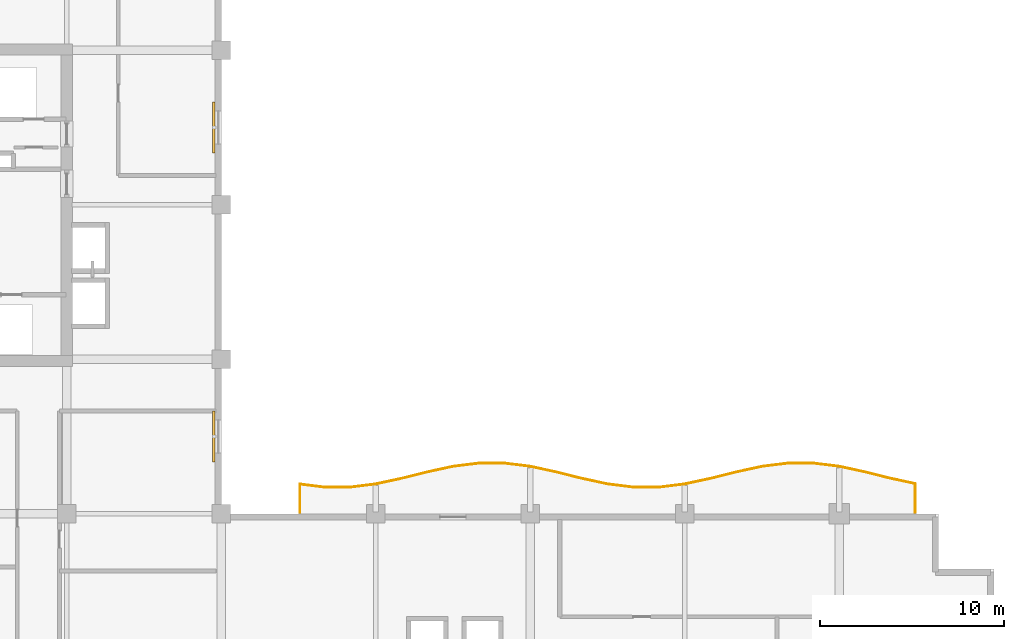
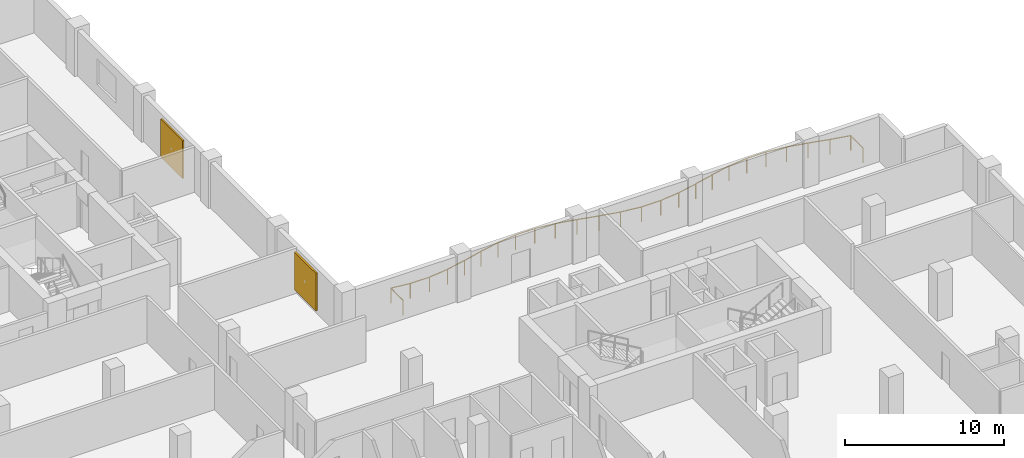
# One storey, part 14 of 14: 2 shading devices, 1 railing.
"""IFC4 building model written with IfcOpenShell, lengths in metres."""

from ifc_helpers import new_model, si_unit, direction, frame, origin, origin_2d, place, context, subcontext, project, spatial, rectangle, circle, extrude, material, layer, layer_set, type_object, element, save


model = new_model("IFC4")

# Units and contexts
model_context = context("Model", 3, precision=1e-05, world=origin(), true_north=direction((0.0, 1.0)))
body_context = subcontext(model_context, "Body", "Model", "MODEL_VIEW")
ifc_project = project(units=[si_unit("LENGTHUNIT", "METRE"), si_unit("AREAUNIT", "SQUARE_METRE"), si_unit("VOLUMEUNIT", "CUBIC_METRE"), si_unit("PLANEANGLEUNIT", "RADIAN"), si_unit("MASSUNIT", "GRAM", prefix="KILO")], contexts=[model_context])

# Site, building, storey
site_placement = place(None, origin())
site = spatial("IfcSite", under=ifc_project, at=site_placement, CompositionType="ELEMENT")
building_placement = place(site_placement, origin())
building = spatial("IfcBuilding", under=site, at=building_placement, Name="Koriwani Terraces Tower", CompositionType="ELEMENT")
storey_placement = place(building_placement, frame((0.0, 0.0, 208.699951171875)))
storey = spatial("IfcBuildingStorey", under=building, at=storey_placement, Name="L51", CompositionType="ELEMENT", Elevation=208.699951171875)

# Railing
ifc_material_1 = material(Name="Steel ASTM A572 Grade 50", Category="steel")
railing_type = type_object("IfcRailingType", Name="GUARD_BALUSTRADE_1150", PredefinedType="BALUSTRADE", material=ifc_material_1)
railing_placement = place(storey_placement, frame((71.320068359375, 33.679931640625, 0.0)))
element("IfcRailing", 1, at=railing_placement, inside=storey, type_object=railing_type, Name="L51 Balcony Perimeter Safety Balustrade (NE)", PredefinedType="BALUSTRADE", context=body_context, shape_type="SweptSolid", body=[
    extrude(circle(Radius=0.02392578125, at=origin_2d()), frame((0.0, 0.0, 1.1259765625), z_axis=(0.0, 1.0, 0.0), x_axis=(-1.0, 0.0, 0.0)), (0.0, 0.0, 1.0), 1.55322265625),
    extrude(circle(Radius=0.02392578125, at=origin_2d()), frame((0.0, 1.55322265625, 1.1259765625), z_axis=(-0.977417151998, 0.211318979222, 0.0), x_axis=(-0.211318979222, -0.977417151998, 0.0)), (0.0, 0.0, 1.0), 1.369140625),
    extrude(circle(Radius=0.02392578125, at=origin_2d()), frame((-1.338134765625, 1.842529296875, 1.1259765625), z_axis=(-0.970251871253, 0.242097720621, 0.0), x_axis=(-0.242097720621, -0.970251871253, 0.0)), (0.0, 0.0, 1.0), 1.443115234375),
    extrude(circle(Radius=0.02392578125, at=origin_2d()), frame((-2.73828125, 2.19189453125, 1.1259765625), z_axis=(-0.977438029446, 0.211222391315, 0.0), x_axis=(-0.211222391315, -0.977438029446, 0.0)), (0.0, 0.0, 1.0), 1.427490234375),
    extrude(circle(Radius=0.02392578125, at=origin_2d()), frame((-4.133544921875, 2.493408203125, 1.1259765625), z_axis=(-0.992309982997, 0.123777613669, 0.0), x_axis=(-0.123777613669, -0.992309982997, 0.0)), (0.0, 0.0, 1.0), 1.40234375),
    extrude(circle(Radius=0.02392578125, at=origin_2d()), frame((-5.525146484375, 2.6669921875, 1.1259765625), z_axis=(-1.0, 0.0, 0.0), x_axis=(0.0, -1.0, 0.0)), (0.0, 0.0, 1.0), 1.389892578125),
    extrude(circle(Radius=0.02392578125, at=origin_2d()), frame((-6.9150390625, 2.6669921875, 1.1259765625), z_axis=(-0.992309982997, -0.123777613669, 0.0), x_axis=(0.123777613669, -0.992309982997, 0.0)), (0.0, 0.0, 1.0), 1.40234375),
    extrude(circle(Radius=0.02392578125, at=origin_2d()), frame((-8.306640625, 2.493408203125, 1.1259765625), z_axis=(-0.977438029446, -0.211222391315, 0.0), x_axis=(0.211222391315, -0.977438029446, 0.0)), (0.0, 0.0, 1.0), 1.427490234375),
    extrude(circle(Radius=0.02392578125, at=origin_2d()), frame((-9.701904296875, 2.19189453125, 1.1259765625), z_axis=(-0.970251871253, -0.242097720621, 0.0), x_axis=(0.242097720621, -0.970251871253, 0.0)), (0.0, 0.0, 1.0), 1.443115234375),
    extrude(circle(Radius=0.02392578125, at=origin_2d()), frame((-11.10205078125, 1.842529296875, 1.1259765625), z_axis=(-0.977445455552, -0.211188023857, 0.0), x_axis=(0.211188023857, -0.977445455552, 0.0)), (0.0, 0.0, 1.0), 1.43701171875),
    extrude(circle(Radius=0.02392578125, at=origin_2d()), frame((-12.506591796875, 1.5390625, 1.1259765625), z_axis=(-0.992301674614, -0.12384420276, 0.0), x_axis=(0.12384420276, -0.992301674614, 0.0)), (0.0, 0.0, 1.0), 1.41943359375),
    extrude(circle(Radius=0.02392578125, at=origin_2d()), frame((-13.9150390625, 1.36328125, 1.1259765625), z_axis=(-1.0, 0.0, 0.0), x_axis=(0.0, -1.0, 0.0)), (0.0, 0.0, 1.0), 1.409912109375),
    extrude(circle(Radius=0.02392578125, at=origin_2d()), frame((-15.324951171875, 1.36328125, 1.1259765625), z_axis=(-0.992301674614, 0.12384420276, 0.0), x_axis=(-0.12384420276, -0.992301674614, 0.0)), (0.0, 0.0, 1.0), 1.41943359375),
    extrude(circle(Radius=0.02392578125, at=origin_2d()), frame((-16.7333984375, 1.5390625, 1.1259765625), z_axis=(-0.977453031353, 0.21115295759, 0.0), x_axis=(-0.21115295759, -0.977453031353, 0.0)), (0.0, 0.0, 1.0), 1.437255859375),
    extrude(circle(Radius=0.02392578125, at=origin_2d()), frame((-18.13818359375, 1.842529296875, 1.1259765625), z_axis=(-0.970241952903, 0.242137466795, 0.0), x_axis=(-0.242137466795, -0.970241952903, 0.0)), (0.0, 0.0, 1.0), 1.44287109375),
    extrude(circle(Radius=0.02392578125, at=origin_2d()), frame((-19.5380859375, 2.19189453125, 1.1259765625), z_axis=(-0.977438029446, 0.211222391315, 0.0), x_axis=(-0.211222391315, -0.977438029446, 0.0)), (0.0, 0.0, 1.0), 1.427490234375),
    extrude(circle(Radius=0.02392578125, at=origin_2d()), frame((-20.933349609375, 2.493408203125, 1.1259765625), z_axis=(-0.992309982997, 0.123777613669, 0.0), x_axis=(-0.123777613669, -0.992309982997, 0.0)), (0.0, 0.0, 1.0), 1.40234375),
    extrude(circle(Radius=0.02392578125, at=origin_2d()), frame((-22.324951171875, 2.6669921875, 1.1259765625), z_axis=(-1.0, 0.0, 0.0), x_axis=(0.0, -1.0, 0.0)), (0.0, 0.0, 1.0), 1.39013671875),
    extrude(circle(Radius=0.02392578125, at=origin_2d()), frame((-23.715087890625, 2.6669921875, 1.1259765625), z_axis=(-0.992309982997, -0.123777613669, 0.0), x_axis=(0.123777613669, -0.992309982997, 0.0)), (0.0, 0.0, 1.0), 1.40234375),
    extrude(circle(Radius=0.02392578125, at=origin_2d()), frame((-25.106689453125, 2.493408203125, 1.1259765625), z_axis=(-0.977438029446, -0.211222391315, 0.0), x_axis=(0.211222391315, -0.977438029446, 0.0)), (0.0, 0.0, 1.0), 1.427490234375),
    extrude(circle(Radius=0.02392578125, at=origin_2d()), frame((-26.501953125, 2.19189453125, 1.1259765625), z_axis=(-0.970241952903, -0.242137466795, 0.0), x_axis=(0.242137466795, -0.970241952903, 0.0)), (0.0, 0.0, 1.0), 1.44287109375),
    extrude(circle(Radius=0.02392578125, at=origin_2d()), frame((-27.90185546875, 1.842529296875, 1.1259765625), z_axis=(-0.977453031353, -0.21115295759, 0.0), x_axis=(0.21115295759, -0.977453031353, 0.0)), (0.0, 0.0, 1.0), 1.437255859375),
    extrude(circle(Radius=0.02392578125, at=origin_2d()), frame((-29.306640625, 1.5390625, 1.1259765625), z_axis=(-0.992301674614, -0.12384420276, 0.0), x_axis=(0.12384420276, -0.992301674614, 0.0)), (0.0, 0.0, 1.0), 1.41943359375),
    extrude(circle(Radius=0.02392578125, at=origin_2d()), frame((-30.715087890625, 1.36328125, 1.1259765625), z_axis=(-1.0, 0.0, 0.0), x_axis=(0.0, -1.0, 0.0)), (0.0, 0.0, 1.0), 1.409912109375),
    extrude(circle(Radius=0.02392578125, at=origin_2d()), frame((-32.125, 1.36328125, 1.1259765625), z_axis=(-0.992331628798, 0.123603958219, 0.0), x_axis=(-0.123603958219, -0.992331628798, 0.0)), (0.0, 0.0, 1.0), 1.325439453125),
    extrude(circle(Radius=0.02392578125, at=origin_2d()), frame((-33.440185546875, 1.527099609375, 1.1259765625), z_axis=(0.0, -1.0, 0.0), x_axis=(1.0, 0.0, 0.0)), (0.0, 0.0, 1.0), 1.527099609375),
    extrude(circle(Radius=0.02099609375, at=origin_2d()), origin(), (0.0, 0.0, 1.0), 1.101806640625),
    extrude(circle(Radius=0.02099609375, at=origin_2d()), frame((0.0, 1.55322265625, 0.0)), (0.0, 0.0, 1.0), 1.101806640625),
    extrude(circle(Radius=0.02099609375, at=origin_2d()), frame((-1.338134765625, 1.842529296875, 0.0)), (0.0, 0.0, 1.0), 1.101806640625),
    extrude(circle(Radius=0.02099609375, at=origin_2d()), frame((-2.73828125, 2.19189453125, 0.0)), (0.0, 0.0, 1.0), 1.101806640625),
    extrude(circle(Radius=0.02099609375, at=origin_2d()), frame((-4.133544921875, 2.493408203125, 0.0)), (0.0, 0.0, 1.0), 1.101806640625),
    extrude(circle(Radius=0.02099609375, at=origin_2d()), frame((-5.525146484375, 2.6669921875, 0.0)), (0.0, 0.0, 1.0), 1.101806640625),
    extrude(circle(Radius=0.02099609375, at=origin_2d()), frame((-6.9150390625, 2.6669921875, 0.0)), (0.0, 0.0, 1.0), 1.101806640625),
    extrude(circle(Radius=0.02099609375, at=origin_2d()), frame((-8.306640625, 2.493408203125, 0.0)), (0.0, 0.0, 1.0), 1.101806640625),
    extrude(circle(Radius=0.02099609375, at=origin_2d()), frame((-9.701904296875, 2.19189453125, 0.0)), (0.0, 0.0, 1.0), 1.101806640625),
    extrude(circle(Radius=0.02099609375, at=origin_2d()), frame((-11.10205078125, 1.842529296875, 0.0)), (0.0, 0.0, 1.0), 1.101806640625),
    extrude(circle(Radius=0.02099609375, at=origin_2d()), frame((-12.506591796875, 1.5390625, 0.0)), (0.0, 0.0, 1.0), 1.101806640625),
    extrude(circle(Radius=0.02099609375, at=origin_2d()), frame((-13.9150390625, 1.36328125, 0.0)), (0.0, 0.0, 1.0), 1.101806640625),
    extrude(circle(Radius=0.02099609375, at=origin_2d()), frame((-15.324951171875, 1.36328125, 0.0)), (0.0, 0.0, 1.0), 1.101806640625),
    extrude(circle(Radius=0.02099609375, at=origin_2d()), frame((-16.7333984375, 1.5390625, 0.0)), (0.0, 0.0, 1.0), 1.101806640625),
    extrude(circle(Radius=0.02099609375, at=origin_2d()), frame((-18.13818359375, 1.842529296875, 0.0)), (0.0, 0.0, 1.0), 1.101806640625),
    extrude(circle(Radius=0.02099609375, at=origin_2d()), frame((-19.5380859375, 2.19189453125, 0.0)), (0.0, 0.0, 1.0), 1.101806640625),
    extrude(circle(Radius=0.02099609375, at=origin_2d()), frame((-20.933349609375, 2.493408203125, 0.0)), (0.0, 0.0, 1.0), 1.101806640625),
    extrude(circle(Radius=0.02099609375, at=origin_2d()), frame((-22.324951171875, 2.6669921875, 0.0)), (0.0, 0.0, 1.0), 1.101806640625),
    extrude(circle(Radius=0.02099609375, at=origin_2d()), frame((-23.715087890625, 2.6669921875, 0.0)), (0.0, 0.0, 1.0), 1.101806640625),
    extrude(circle(Radius=0.02099609375, at=origin_2d()), frame((-25.106689453125, 2.493408203125, 0.0)), (0.0, 0.0, 1.0), 1.101806640625),
    extrude(circle(Radius=0.02099609375, at=origin_2d()), frame((-26.501953125, 2.19189453125, 0.0)), (0.0, 0.0, 1.0), 1.101806640625),
    extrude(circle(Radius=0.02099609375, at=origin_2d()), frame((-27.90185546875, 1.842529296875, 0.0)), (0.0, 0.0, 1.0), 1.101806640625),
    extrude(circle(Radius=0.02099609375, at=origin_2d()), frame((-29.306640625, 1.5390625, 0.0)), (0.0, 0.0, 1.0), 1.101806640625),
    extrude(circle(Radius=0.02099609375, at=origin_2d()), frame((-30.715087890625, 1.36328125, 0.0)), (0.0, 0.0, 1.0), 1.101806640625),
    extrude(circle(Radius=0.02099609375, at=origin_2d()), frame((-32.125, 1.36328125, 0.0)), (0.0, 0.0, 1.0), 1.101806640625),
    extrude(circle(Radius=0.02099609375, at=origin_2d()), frame((-33.440185546875, 1.527099609375, 0.0)), (0.0, 0.0, 1.0), 1.101806640625),
    extrude(circle(Radius=0.02099609375, at=origin_2d()), frame((-33.440185546875, 0.0, 0.0)), (0.0, 0.0, 1.0), 1.101806640625),
])

# Shading devices
ifc_material_2 = material(Name="Extruded Terracotta Clay", Category="masonry")
ifc_layer = layer(ifc_material_2, 0.1201171875, Name="Extruded Terracotta Clay")
ifc_layer_set = layer_set([ifc_layer], Name="Extruded Terracotta Clay")
shading_device_type = type_object("IfcShadingDeviceType", Name="TERRACOTTA_BAGUETTE_SCREEN_2800", PredefinedType="USERDEFINED", material=ifc_layer_set)
for number, where, z_axis, x_axis, name in (
    (2, (33.195068359375, 37.800048828125, 0.28515625), (0.0, 0.0, 1.0), (0.0, -1.0, 0.0), "L51 Extruded Terracotta Baguette Screen (NW_IN-2)"),
    (3, (33.195068359375, 54.60009765625, 0.28515625), (0.0, 0.0, 1.0), (0.0, -1.0, 0.0), "L51 Extruded Terracotta Baguette Screen (NW_IN-8)"),
):
    element("IfcShadingDevice", number, at=place(storey_placement, frame(where, z_axis=z_axis, x_axis=x_axis)), inside=storey, type_object=shading_device_type, Name=name, ObjectType="BAGUETTE", PredefinedType="USERDEFINED", context=body_context, shape_type="SweptSolid", body=[
        extrude(rectangle(XDim=2.760009765625, YDim=0.1201171875, at=origin_2d()), origin(), (0.0, 0.0, 1.0), 2.89990234375),
    ])

save(model, "model.ifc")
